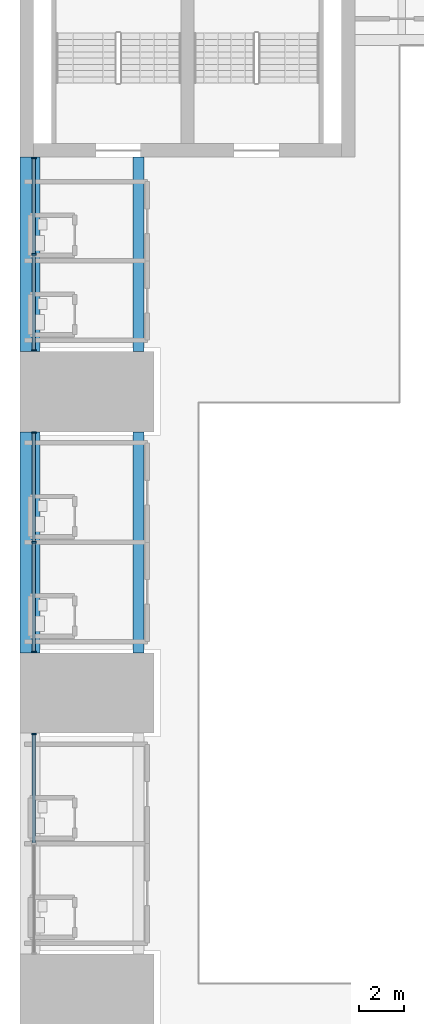
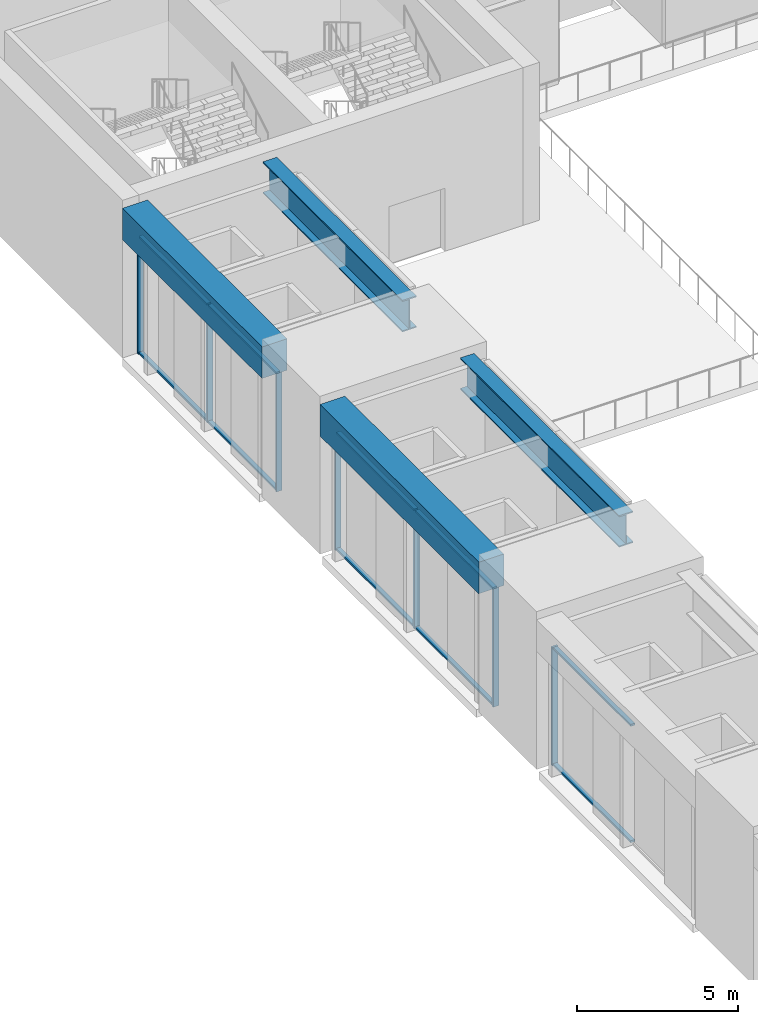
# One storey, part 5 of 43: 17 members, 4 beams, 3 elements without a shape of their own.
"""IFC4 building model written with IfcOpenShell, lengths in metres."""

from ifc_helpers import new_model, si_unit, direction, frame, origin, origin_2d, place, context, subcontext, project, spatial, rectangle, i_section, extrude, material, layer, layer_set, material_profile, profile_set, type_object, element, aggregate, save


model = new_model("IFC4")

# Units and contexts
model_context = context("Model", 3, precision=1e-05, world=origin(), true_north=direction((0.0, 1.0)))
body_context = subcontext(model_context, "Body", "Model", "MODEL_VIEW")
ifc_project = project(units=[si_unit("LENGTHUNIT", "METRE"), si_unit("AREAUNIT", "SQUARE_METRE"), si_unit("VOLUMEUNIT", "CUBIC_METRE"), si_unit("PLANEANGLEUNIT", "RADIAN"), si_unit("MASSUNIT", "GRAM", prefix="KILO")], contexts=[model_context])

# Site, building, storey
site_placement = place(None, origin())
site = spatial("IfcSite", under=ifc_project, at=site_placement, CompositionType="ELEMENT")
building_placement = place(site_placement, origin())
building = spatial("IfcBuilding", under=site, at=building_placement, Name="Corbelhall Arena Tower", CompositionType="ELEMENT")
storey_placement = place(building_placement, frame((0.0, 0.0, 25.0)))
storey = spatial("IfcBuildingStorey", under=building, at=storey_placement, Name="L03", CompositionType="ELEMENT", Elevation=25.0)

# Curtain wall, members
ifc_material_1 = material(Name="Aluminium black anodised", Category="aluminium")
ifc_layer = layer(ifc_material_1, 0.239990234375)
ifc_layer_set = layer_set([ifc_layer], Name="EV-CW4 Arena concourse glazing")
curtain_wall_type = type_object("IfcCurtainWallType", Name="EV-CW4 Arena concourse glazing", PredefinedType="NOTDEFINED", material=ifc_layer_set)
curtain_wall_1_placement = place(storey_placement, origin())
curtain_wall_1 = element("IfcCurtainWall", 1, at=curtain_wall_1_placement, inside=storey, type_object=curtain_wall_type, Name="Curtain wall CW4B", PredefinedType="NOTDEFINED")
ifc_material_profile_1 = material_profile(ifc_material_1, rectangle(XDim=0.199951171875, YDim=0.074951171875, at=origin_2d()))
ifc_profile_set_1 = profile_set([ifc_material_profile_1], Name="Aluminium black anodised")
member_type_1 = type_object("IfcMemberType", Name="EV-CW4-MULLION", PredefinedType="MULLION", material=ifc_profile_set_1)
member_1_placement = place(storey_placement, frame((-47.3798828125, 23.96240234375, 0.0), z_axis=(0.0, 0.0, 1.0), x_axis=(1.0, 0.0, 0.0)))
member_1 = element("IfcMember", 2, at=member_1_placement, type_object=member_type_1, Name="CW4B mullion 1", PredefinedType="MULLION", context=body_context, shape_type="SweptSolid", body=[
    extrude(rectangle(XDim=0.199951171875, YDim=0.074951171875, at=origin_2d()), origin(), (0.0, 0.0, 1.0), 4.5),
])
member_2_placement = place(storey_placement, frame((-47.3798828125, 19.64990234375, 0.0), z_axis=(0.0, 0.0, 1.0), x_axis=(1.0, 0.0, 0.0)))
member_2 = element("IfcMember", 3, at=member_2_placement, type_object=member_type_1, Name="CW4B mullion 2", PredefinedType="MULLION", context=body_context, shape_type="SweptSolid", body=[
    extrude(rectangle(XDim=0.199951171875, YDim=0.074951171875, at=origin_2d()), origin(), (0.0, 0.0, 1.0), 4.5),
])
member_3_placement = place(storey_placement, frame((-47.3798828125, 15.33740234375, 0.0), z_axis=(0.0, 0.0, 1.0), x_axis=(1.0, 0.0, 0.0)))
member_3 = element("IfcMember", 4, at=member_3_placement, type_object=member_type_1, Name="CW4B mullion 3", PredefinedType="MULLION", context=body_context, shape_type="SweptSolid", body=[
    extrude(rectangle(XDim=0.199951171875, YDim=0.074951171875, at=origin_2d()), origin(), (0.0, 0.0, 1.0), 4.5),
])

curtain_wall_2_placement = place(storey_placement, origin())
curtain_wall_2 = element("IfcCurtainWall", 5, at=curtain_wall_2_placement, inside=storey, type_object=curtain_wall_type, Name="Curtain wall CW4", PredefinedType="NOTDEFINED")
member_4_placement = place(storey_placement, frame((-47.3798828125, 11.66259765625, 0.0), z_axis=(0.0, 0.0, 1.0), x_axis=(1.0, 0.0, 0.0)))
member_4 = element("IfcMember", 6, at=member_4_placement, type_object=member_type_1, Name="CW4 mullion 1", PredefinedType="MULLION", context=body_context, shape_type="SweptSolid", body=[
    extrude(rectangle(XDim=0.199951171875, YDim=0.074951171875, at=origin_2d()), origin(), (0.0, 0.0, 1.0), 4.5),
])
member_5_placement = place(storey_placement, frame((-47.3798828125, 6.75, 0.0), z_axis=(0.0, 0.0, 1.0), x_axis=(1.0, 0.0, 0.0)))
member_5 = element("IfcMember", 7, at=member_5_placement, type_object=member_type_1, Name="CW4 mullion 2", PredefinedType="MULLION", context=body_context, shape_type="SweptSolid", body=[
    extrude(rectangle(XDim=0.199951171875, YDim=0.074951171875, at=origin_2d()), origin(), (0.0, 0.0, 1.0), 4.5),
])
member_6_placement = place(storey_placement, frame((-47.3798828125, 1.83740234375, 0.0), z_axis=(0.0, 0.0, 1.0), x_axis=(1.0, 0.0, 0.0)))
member_6 = element("IfcMember", 8, at=member_6_placement, type_object=member_type_1, Name="CW4 mullion 3", PredefinedType="MULLION", context=body_context, shape_type="SweptSolid", body=[
    extrude(rectangle(XDim=0.199951171875, YDim=0.074951171875, at=origin_2d()), origin(), (0.0, 0.0, 1.0), 4.5),
])

# Curtain wall, member
curtain_wall_3_placement = place(storey_placement, origin())
curtain_wall_3 = element("IfcCurtainWall", 9, at=curtain_wall_3_placement, inside=storey, type_object=curtain_wall_type, Name="Curtain wall CW4", PredefinedType="NOTDEFINED")
member_7_placement = place(storey_placement, frame((-47.3798828125, -1.83740234375, 0.0), z_axis=(0.0, 0.0, 1.0), x_axis=(1.0, 0.0, 0.0)))
member_7 = element("IfcMember", 10, at=member_7_placement, type_object=member_type_1, Name="CW4 mullion 1", PredefinedType="MULLION", context=body_context, shape_type="SweptSolid", body=[
    extrude(rectangle(XDim=0.199951171875, YDim=0.074951171875, at=origin_2d()), origin(), (0.0, 0.0, 1.0), 4.5),
])

# Member
ifc_material_profile_2 = material_profile(ifc_material_1, rectangle(XDim=0.14990234375, YDim=0.074951171875, at=origin_2d()))
ifc_profile_set_2 = profile_set([ifc_material_profile_2], Name="Aluminium black anodised")
member_type_2 = type_object("IfcMemberType", Name="EV-CW4-TRANSOM", PredefinedType="USERDEFINED", material=ifc_profile_set_2)
member_8_placement = place(storey_placement, frame((-47.3798828125, 23.925048828125, 0.03759765625), z_axis=(0.0, -1.0, 0.0), x_axis=(1.0, 0.0, 0.0)))
member_8 = element("IfcMember", 11, at=member_8_placement, type_object=member_type_2, Name="CW4B transom 1.1", ObjectType="transom", PredefinedType="USERDEFINED", context=body_context, shape_type="SweptSolid", body=[
    extrude(rectangle(XDim=0.14990234375, YDim=0.074951171875, at=origin_2d()), origin(), (0.0, 0.0, 1.0), 4.237548828125),
])

member_9_placement = place(storey_placement, frame((-47.3798828125, 23.925048828125, 4.46240234375), z_axis=(0.0, -1.0, 0.0), x_axis=(1.0, 0.0, 0.0)))
member_9 = element("IfcMember", 12, at=member_9_placement, type_object=member_type_2, Name="CW4B transom 1.2", ObjectType="transom", PredefinedType="USERDEFINED", context=body_context, shape_type="SweptSolid", body=[
    extrude(rectangle(XDim=0.14990234375, YDim=0.074951171875, at=origin_2d()), origin(), (0.0, 0.0, 1.0), 4.237548828125),
])

member_10_placement = place(storey_placement, frame((-47.3798828125, 19.612548828125, 0.03759765625), z_axis=(0.0, -1.0, 0.0), x_axis=(1.0, 0.0, 0.0)))
member_10 = element("IfcMember", 13, at=member_10_placement, type_object=member_type_2, Name="CW4B transom 2.1", ObjectType="transom", PredefinedType="USERDEFINED", context=body_context, shape_type="SweptSolid", body=[
    extrude(rectangle(XDim=0.14990234375, YDim=0.074951171875, at=origin_2d()), origin(), (0.0, 0.0, 1.0), 4.237548828125),
])

member_11_placement = place(storey_placement, frame((-47.3798828125, 19.612548828125, 4.46240234375), z_axis=(0.0, -1.0, 0.0), x_axis=(1.0, 0.0, 0.0)))
member_11 = element("IfcMember", 14, at=member_11_placement, type_object=member_type_2, Name="CW4B transom 2.2", ObjectType="transom", PredefinedType="USERDEFINED", context=body_context, shape_type="SweptSolid", body=[
    extrude(rectangle(XDim=0.14990234375, YDim=0.074951171875, at=origin_2d()), origin(), (0.0, 0.0, 1.0), 4.237548828125),
])

aggregate(curtain_wall_1, [member_1, member_2, member_3, member_8, member_9, member_10, member_11])

member_12_placement = place(storey_placement, frame((-47.3798828125, 11.625, 0.03759765625), z_axis=(0.0, -1.0, 0.0), x_axis=(1.0, 0.0, 0.0)))
member_12 = element("IfcMember", 15, at=member_12_placement, type_object=member_type_2, Name="CW4 transom 1.1", ObjectType="transom", PredefinedType="USERDEFINED", context=body_context, shape_type="SweptSolid", body=[
    extrude(rectangle(XDim=0.14990234375, YDim=0.074951171875, at=origin_2d()), origin(), (0.0, 0.0, 1.0), 4.83740234375),
])

member_13_placement = place(storey_placement, frame((-47.3798828125, 11.625, 4.46240234375), z_axis=(0.0, -1.0, 0.0), x_axis=(1.0, 0.0, 0.0)))
member_13 = element("IfcMember", 16, at=member_13_placement, type_object=member_type_2, Name="CW4 transom 1.2", ObjectType="transom", PredefinedType="USERDEFINED", context=body_context, shape_type="SweptSolid", body=[
    extrude(rectangle(XDim=0.14990234375, YDim=0.074951171875, at=origin_2d()), origin(), (0.0, 0.0, 1.0), 4.83740234375),
])

member_14_placement = place(storey_placement, frame((-47.3798828125, 6.71240234375, 0.03759765625), z_axis=(0.0, -1.0, 0.0), x_axis=(1.0, 0.0, 0.0)))
member_14 = element("IfcMember", 17, at=member_14_placement, type_object=member_type_2, Name="CW4 transom 2.1", ObjectType="transom", PredefinedType="USERDEFINED", context=body_context, shape_type="SweptSolid", body=[
    extrude(rectangle(XDim=0.14990234375, YDim=0.074951171875, at=origin_2d()), origin(), (0.0, 0.0, 1.0), 4.83740234375),
])

member_15_placement = place(storey_placement, frame((-47.3798828125, 6.71240234375, 4.46240234375), z_axis=(0.0, -1.0, 0.0), x_axis=(1.0, 0.0, 0.0)))
member_15 = element("IfcMember", 18, at=member_15_placement, type_object=member_type_2, Name="CW4 transom 2.2", ObjectType="transom", PredefinedType="USERDEFINED", context=body_context, shape_type="SweptSolid", body=[
    extrude(rectangle(XDim=0.14990234375, YDim=0.074951171875, at=origin_2d()), origin(), (0.0, 0.0, 1.0), 4.83740234375),
])

aggregate(curtain_wall_2, [member_4, member_5, member_6, member_12, member_13, member_14, member_15])

member_16_placement = place(storey_placement, frame((-47.3798828125, -1.875, 0.03759765625), z_axis=(0.0, -1.0, 0.0), x_axis=(1.0, 0.0, 0.0)))
member_16 = element("IfcMember", 19, at=member_16_placement, type_object=member_type_2, Name="CW4 transom 1.1", ObjectType="transom", PredefinedType="USERDEFINED", context=body_context, shape_type="SweptSolid", body=[
    extrude(rectangle(XDim=0.14990234375, YDim=0.074951171875, at=origin_2d()), origin(), (0.0, 0.0, 1.0), 4.83740234375),
])

member_17_placement = place(storey_placement, frame((-47.3798828125, -1.875, 4.46240234375), z_axis=(0.0, -1.0, 0.0), x_axis=(1.0, 0.0, 0.0)))
member_17 = element("IfcMember", 20, at=member_17_placement, type_object=member_type_2, Name="CW4 transom 1.2", ObjectType="transom", PredefinedType="USERDEFINED", context=body_context, shape_type="SweptSolid", body=[
    extrude(rectangle(XDim=0.14990234375, YDim=0.074951171875, at=origin_2d()), origin(), (0.0, 0.0, 1.0), 4.83740234375),
])

aggregate(curtain_wall_3, [member_7, member_16, member_17])

# Beams
ifc_material_2 = material(Name="Steel ASTM A572 Gr50", Category="steel")
ifc_material_profile_3 = material_profile(ifc_material_2, i_section(OverallWidth=0.5, OverallDepth=1.199951171875, WebThickness=0.02490234375, FlangeThickness=0.044921875, at=origin_2d()))
ifc_profile_set_3 = profile_set([ifc_material_profile_3], Name="Steel ASTM A572 Gr50")
beam_type_1 = type_object("IfcBeamType", Name="PO-GIRDER-PG1200X500X25X45", PredefinedType="BEAM", material=ifc_profile_set_3)
beam_1_placement = place(storey_placement, frame((-42.699951171875, 1.800048828125, 5.10009765625), z_axis=(0.0, 1.0, 0.0), x_axis=(-1.0, 0.0, 0.0)))
element("IfcBeam", 21, at=beam_1_placement, inside=storey, type_object=beam_type_1, Name="INNER END GIRDER", PredefinedType="BEAM", context=body_context, shape_type="SweptSolid", body=[
    extrude(i_section(OverallWidth=0.5, OverallDepth=1.199951171875, WebThickness=0.02490234375, FlangeThickness=0.044921875, at=origin_2d()), origin(), (0.0, 0.0, 1.0), 9.89990234375),
])
beam_2_placement = place(storey_placement, frame((-42.699951171875, 15.300048828125, 5.10009765625), z_axis=(0.0, 1.0, 0.0), x_axis=(-1.0, 0.0, 0.0)))
element("IfcBeam", 22, at=beam_2_placement, inside=storey, type_object=beam_type_1, Name="INNER END GIRDER", PredefinedType="BEAM", context=body_context, shape_type="SweptSolid", body=[
    extrude(i_section(OverallWidth=0.5, OverallDepth=1.199951171875, WebThickness=0.02490234375, FlangeThickness=0.044921875, at=origin_2d()), origin(), (0.0, 0.0, 1.0), 8.699951171875),
])
ifc_material_3 = material(Name="Concrete C80/95", Category="concrete")
ifc_material_profile_4 = material_profile(ifc_material_3, rectangle(XDim=0.89990234375, YDim=1.199951171875, at=origin_2d()))
ifc_profile_set_4 = profile_set([ifc_material_profile_4], Name="Concrete C80/95")
beam_type_2 = type_object("IfcBeamType", Name="PO-RING-BEAM", PredefinedType="BEAM", material=ifc_profile_set_4)
beam_3_placement = place(storey_placement, frame((-47.550048828125, 1.800048828125, 5.10009765625), z_axis=(0.0, 1.0, 0.0), x_axis=(-1.0, 0.0, 0.0)))
element("IfcBeam", 23, at=beam_3_placement, inside=storey, type_object=beam_type_2, Name="RING GIRDER L04 W3", PredefinedType="BEAM", context=body_context, shape_type="SweptSolid", body=[
    extrude(rectangle(XDim=0.89990234375, YDim=1.199951171875, at=origin_2d()), origin(), (0.0, 0.0, 1.0), 9.89990234375),
])
beam_4_placement = place(storey_placement, frame((-47.550048828125, 15.300048828125, 5.10009765625), z_axis=(0.0, 1.0, 0.0), x_axis=(-1.0, 0.0, 0.0)))
element("IfcBeam", 24, at=beam_4_placement, inside=storey, type_object=beam_type_2, Name="RING GIRDER L04 W4", PredefinedType="BEAM", context=body_context, shape_type="SweptSolid", body=[
    extrude(rectangle(XDim=0.89990234375, YDim=1.199951171875, at=origin_2d()), origin(), (0.0, 0.0, 1.0), 8.699951171875),
])

save(model, "model.ifc")
